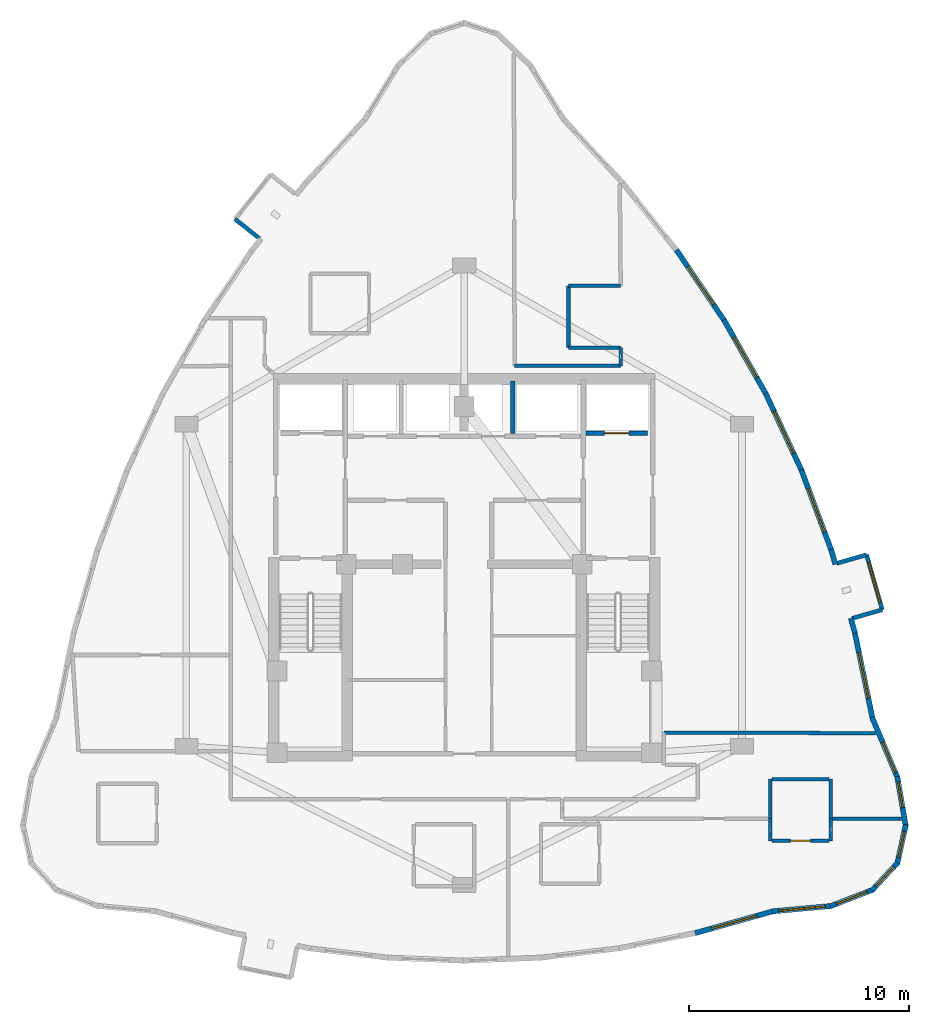
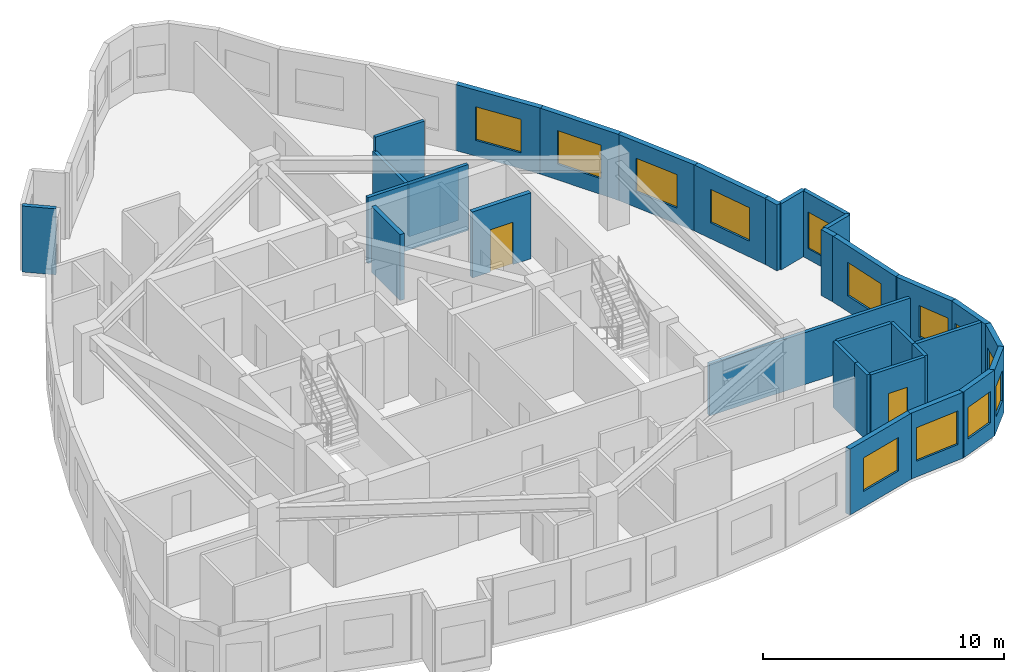
# One storey, part 10 of 12: 33 walls, 13 windows, 2 doors, 15 openings.
"""IFC4 building model written with IfcOpenShell, lengths in metres."""

from ifc_helpers import new_model, si_unit, direction, frame, frame_2d, origin, place, context, subcontext, project, spatial, rectangle, extrude, material, layer, layer_set, type_object, element, fill, save


model = new_model("IFC4")

# Units and contexts
model_context = context("Model", 3, precision=1e-05, world=origin(), true_north=direction((0.0, 1.0)))
body_context = subcontext(model_context, "Body", "Model", "MODEL_VIEW")
ifc_project = project(units=[si_unit("LENGTHUNIT", "METRE"), si_unit("AREAUNIT", "SQUARE_METRE"), si_unit("VOLUMEUNIT", "CUBIC_METRE"), si_unit("PLANEANGLEUNIT", "RADIAN"), si_unit("MASSUNIT", "GRAM", prefix="KILO")], contexts=[model_context])

# Site, building, storey
site_placement = place(None, origin())
site = spatial("IfcSite", under=ifc_project, at=site_placement, CompositionType="ELEMENT")
building_placement = place(site_placement, origin())
building = spatial("IfcBuilding", under=site, at=building_placement, Name="Miruveldt Soraemaru", CompositionType="ELEMENT")
storey_placement = place(building_placement, frame((0.0, 0.0, 216.0)))
storey = spatial("IfcBuildingStorey", under=building, at=storey_placement, Name="L59", CompositionType="ELEMENT", Elevation=216.0)

# Walls
ifc_material_1 = material(Name="White powder-coated aluminium EN AW-6060 T6", Category="aluminium")
ifc_layer_1 = layer(ifc_material_1, 0.18994140625, Name="White powder-coated aluminium EN AW-6060 T6", Category="aluminium")
ifc_layer_set_1 = layer_set([ifc_layer_1], Name="White powder-coated aluminium EN AW-6060 T6")
wall_type_1 = type_object("IfcWallType", Name="WALL-BAY-ALU190", PredefinedType="SOLIDWALL", material=ifc_layer_set_1)
for number, where, z_axis, x_axis, name in (
    (1, (33.599365234375, 59.707763671875, 0.0), (0.0, 0.0, 1.0), (0.781737193764, -0.623608017817, 0.0), "L59 Bay Window Side Cheek 3R"),
    (2, (61.593994140625, 41.59033203125, 0.0), (0.0, 0.0, 1.0), (0.961452801096, 0.274970018845, 0.0), "L59 Bay Window Side Cheek 2L"),
    (3, (62.249267578125, 44.48193359375, 0.0), (0.0, 0.0, 1.0), (-0.961452801096, -0.274970018845, 0.0), "L59 Bay Window Side Cheek 2R"),
):
    element("IfcWall", number, at=place(storey_placement, frame(where, z_axis=z_axis, x_axis=x_axis)), inside=storey, type_object=wall_type_1, Name=name, PredefinedType="SOLIDWALL", context=body_context, shape_type="SweptSolid", body=[
        extrude(rectangle(XDim=1.425048828125, YDim=0.18994140625, at=frame_2d((0.71240234375, 0.0))), origin(), (0.0, 0.0, 1.0), 3.344970703125),
    ])

# Wall, opening, window
wall_1_placement = place(storey_placement, frame((62.964111328125, 41.982177734375, 0.0), z_axis=(0.0, 0.0, 1.0), x_axis=(-0.274944358644, 0.961460139397, 0.0)))
wall_1 = element("IfcWall", 4, at=wall_1_placement, inside=storey, type_object=wall_type_1, Name="L59 Bay Window Front Frame 2", PredefinedType="SOLIDWALL", context=body_context, shape_type="SweptSolid", body=[
    extrude(rectangle(XDim=2.599853515625, YDim=0.18994140625, at=frame_2d((1.2998046875, 0.0))), origin(), (0.0, 0.0, 1.0), 3.344970703125),
])
opening_1_placement = place(wall_1_placement, frame((0.35009765625, 0.0, 0.550048828125)))
opening_1 = element("IfcOpeningElement", 5, at=opening_1_placement, cuts=wall_1, Name="Opening WN-6", PredefinedType="OPENING", context=body_context, shape_type="SweptSolid", body=[
    extrude(rectangle(XDim=1.89990234375, YDim=1.85009765625, at=frame_2d((0.949951171875, 0.925048828125))), frame((0.0, 0.10498046875, 0.0), z_axis=(0.0, -1.0, 0.0), x_axis=(1.0, 0.0, 0.0)), (0.0, 0.0, 1.0), 0.2099609375),
])
ifc_material_2 = material(Name="Triple low-e insulated glazing", Category="glass")
window_type_1 = type_object("IfcWindowType", Name="WIN-BAYW-1900x1850", PartitioningType="SINGLE_PANEL", PredefinedType="WINDOW", material=ifc_material_2)
window_1_placement = place(opening_1_placement, origin())
window_1 = element("IfcWindow", 6, at=window_1_placement, inside=storey, type_object=window_type_1, Name="L59 Projecting Bay Window 2", OverallHeight=1.85009765625, OverallWidth=1.89990234375, PartitioningType="SINGLE_PANEL", PredefinedType="WINDOW", context=body_context, shape_type="SweptSolid", body=[
    extrude(rectangle(XDim=1.89990234375, YDim=1.85009765625, at=frame_2d((0.949951171875, 0.925048828125))), frame((0.0, 0.030029296875, 0.0), z_axis=(0.0, -1.0, 0.0), x_axis=(1.0, 0.0, 0.0)), (0.0, 0.0, 1.0), 0.06005859375),
])
fill(opening_1, window_1)

ifc_material_3 = material(Name="Precast concrete C45/55 (45 MPa)", Category="concrete")
ifc_layer_2 = layer(ifc_material_3, 0.239990234375, Name="Precast concrete C45/55 (45 MPa)", Category="concrete")
ifc_layer_set_2 = layer_set([ifc_layer_2], Name="Precast concrete C45/55 (45 MPa)")
wall_type_2 = type_object("IfcWallType", Name="WALL-EXT-PC240", PredefinedType="SOLIDWALL", material=ifc_layer_set_2)
wall_2_placement = place(storey_placement, frame((54.46728515625, 27.314453125, 0.0), z_axis=(0.0, 0.0, 1.0), x_axis=(0.962962651001, 0.269634813733, 0.0)))
wall_2 = element("IfcWall", 7, at=wall_2_placement, inside=storey, type_object=wall_type_2, Name="L59 Precast Concrete Facade Wall 28", PredefinedType="SOLIDWALL", context=body_context, shape_type="SweptSolid", body=[
    extrude(rectangle(XDim=3.705078125, YDim=0.239990234375, at=frame_2d((1.8525390625, 0.0))), origin(), (0.0, 0.0, 1.0), 3.344970703125),
])
opening_2_placement = place(wall_2_placement, frame((0.802001953125, 0.0, 0.800048828125)))
opening_2 = element("IfcOpeningElement", 8, at=opening_2_placement, cuts=wall_2, Name="Opening WN-1", PredefinedType="OPENING", context=body_context, shape_type="SweptSolid", body=[
    extrude(rectangle(XDim=2.10009765625, YDim=1.699951171875, at=frame_2d((1.050048828125, 0.85009765625))), frame((0.0, 0.1298828125, 0.0), z_axis=(0.0, -1.0, 0.0), x_axis=(1.0, 0.0, 0.0)), (0.0, 0.0, 1.0), 0.260009765625),
])
window_type_2 = type_object("IfcWindowType", Name="WIN-PUNCH-2100x1700", PartitioningType="SINGLE_PANEL", PredefinedType="WINDOW", material=ifc_material_2)
window_2_placement = place(opening_2_placement, origin())
window_2 = element("IfcWindow", 9, at=window_2_placement, inside=storey, type_object=window_type_2, Name="L59 Punched Triple-Glazed Window 28.1", OverallHeight=1.699951171875, OverallWidth=2.10009765625, PartitioningType="SINGLE_PANEL", PredefinedType="WINDOW", context=body_context, shape_type="SweptSolid", body=[
    extrude(rectangle(XDim=2.10009765625, YDim=1.699951171875, at=frame_2d((1.050048828125, 0.85009765625))), frame((0.0, 0.030029296875, 0.0), z_axis=(0.0, -1.0, 0.0), x_axis=(1.0, 0.0, 0.0)), (0.0, 0.0, 1.0), 0.06005859375),
])
fill(opening_2, window_2)

wall_3_placement = place(storey_placement, frame((57.966552734375, 28.30078125, 0.0), z_axis=(0.0, 0.0, 1.0), x_axis=(0.995764020847, 0.09194571652, 0.0)))
wall_3 = element("IfcWall", 10, at=wall_3_placement, inside=storey, type_object=wall_type_2, Name="L59 Precast Concrete Facade Wall 29", PredefinedType="SOLIDWALL", context=body_context, shape_type="SweptSolid", body=[
    extrude(rectangle(XDim=2.71630859375, YDim=0.239990234375, at=frame_2d((1.358154296875, 0.0))), origin(), (0.0, 0.0, 1.0), 3.344970703125),
])
opening_3_placement = place(wall_3_placement, frame((0.30810546875, 0.0, 0.800048828125)))
opening_3 = element("IfcOpeningElement", 11, at=opening_3_placement, cuts=wall_3, Name="Opening WN-1", PredefinedType="OPENING", context=body_context, shape_type="SweptSolid", body=[
    extrude(rectangle(XDim=2.10009765625, YDim=1.699951171875, at=frame_2d((1.050048828125, 0.85009765625))), frame((0.0, 0.1298828125, 0.0), z_axis=(0.0, -1.0, 0.0), x_axis=(1.0, 0.0, 0.0)), (0.0, 0.0, 1.0), 0.260009765625),
])
window_3_placement = place(opening_3_placement, origin())
window_3 = element("IfcWindow", 12, at=window_3_placement, inside=storey, type_object=window_type_2, Name="L59 Punched Triple-Glazed Window 29.1", OverallHeight=1.699951171875, OverallWidth=2.10009765625, PartitioningType="SINGLE_PANEL", PredefinedType="WINDOW", context=body_context, shape_type="SweptSolid", body=[
    extrude(rectangle(XDim=2.10009765625, YDim=1.699951171875, at=frame_2d((1.050048828125, 0.85009765625))), frame((0.0, 0.030029296875, 0.0), z_axis=(0.0, -1.0, 0.0), x_axis=(1.0, 0.0, 0.0)), (0.0, 0.0, 1.0), 0.06005859375),
])
fill(opening_3, window_3)

wall_4_placement = place(storey_placement, frame((60.60400390625, 28.53466796875, 0.0), z_axis=(0.0, 0.0, 1.0), x_axis=(0.932287324151, 0.361718599504, 0.0)))
wall_4 = element("IfcWall", 13, at=wall_4_placement, inside=storey, type_object=wall_type_2, Name="L59 Precast Concrete Facade Wall 30", PredefinedType="SOLIDWALL", context=body_context, shape_type="SweptSolid", body=[
    extrude(rectangle(XDim=2.0888671875, YDim=0.239990234375, at=frame_2d((1.04443359375, 0.0))), origin(), (0.0, 0.0, 1.0), 3.344970703125),
])
opening_4_placement = place(wall_4_placement, frame((0.2939453125, 0.0, 0.800048828125)))
opening_4 = element("IfcOpeningElement", 14, at=opening_4_placement, cuts=wall_4, Name="Opening WN-3", PredefinedType="OPENING", context=body_context, shape_type="SweptSolid", body=[
    extrude(rectangle(XDim=1.5, YDim=1.60009765625, at=frame_2d((0.75, 0.800048828125))), frame((0.0, 0.1298828125, 0.0), z_axis=(0.0, -1.0, 0.0), x_axis=(1.0, 0.0, 0.0)), (0.0, 0.0, 1.0), 0.260009765625),
])
window_type_3 = type_object("IfcWindowType", Name="WIN-PUNCH-1500x1600", PartitioningType="SINGLE_PANEL", PredefinedType="WINDOW", material=ifc_material_2)
window_4_placement = place(opening_4_placement, origin())
window_4 = element("IfcWindow", 15, at=window_4_placement, inside=storey, type_object=window_type_3, Name="L59 Punched Triple-Glazed Window 30.1", OverallHeight=1.60009765625, OverallWidth=1.5, PartitioningType="SINGLE_PANEL", PredefinedType="WINDOW", context=body_context, shape_type="SweptSolid", body=[
    extrude(rectangle(XDim=1.5, YDim=1.60009765625, at=frame_2d((0.75, 0.800048828125))), frame((0.0, 0.030029296875, 0.0), z_axis=(0.0, -1.0, 0.0), x_axis=(1.0, 0.0, 0.0)), (0.0, 0.0, 1.0), 0.06005859375),
])
fill(opening_4, window_4)

wall_5_placement = place(storey_placement, frame((62.4951171875, 29.251953125, 0.0), z_axis=(0.0, 0.0, 1.0), x_axis=(0.680158830512, 0.733064775635, 0.0)))
wall_5 = element("IfcWall", 16, at=wall_5_placement, inside=storey, type_object=wall_type_2, Name="L59 Precast Concrete Facade Wall 31", PredefinedType="SOLIDWALL", context=body_context, shape_type="SweptSolid", body=[
    extrude(rectangle(XDim=1.73046875, YDim=0.239990234375, at=frame_2d((0.865234375, 0.0))), origin(), (0.0, 0.0, 1.0), 3.344970703125),
])
opening_5_placement = place(wall_5_placement, frame((0.264892578125, 0.0, 0.780029296875)))
opening_5 = element("IfcOpeningElement", 17, at=opening_5_placement, cuts=wall_5, Name="Opening WN-4", PredefinedType="OPENING", context=body_context, shape_type="SweptSolid", body=[
    extrude(rectangle(XDim=1.199951171875, YDim=1.550048828125, at=frame_2d((0.60009765625, 0.77490234375))), frame((0.0, 0.1298828125, 0.0), z_axis=(0.0, -1.0, 0.0), x_axis=(1.0, 0.0, 0.0)), (0.0, 0.0, 1.0), 0.260009765625),
])
window_type_4 = type_object("IfcWindowType", Name="WIN-PUNCH-1200x1550", PartitioningType="SINGLE_PANEL", PredefinedType="WINDOW", material=ifc_material_2)
window_5_placement = place(opening_5_placement, origin())
window_5 = element("IfcWindow", 18, at=window_5_placement, inside=storey, type_object=window_type_4, Name="L59 Punched Triple-Glazed Window 31.1", OverallHeight=1.550048828125, OverallWidth=1.199951171875, PartitioningType="SINGLE_PANEL", PredefinedType="WINDOW", context=body_context, shape_type="SweptSolid", body=[
    extrude(rectangle(XDim=1.199951171875, YDim=1.550048828125, at=frame_2d((0.60009765625, 0.77490234375))), frame((0.0, 0.030029296875, 0.0), z_axis=(0.0, -1.0, 0.0), x_axis=(1.0, 0.0, 0.0)), (0.0, 0.0, 1.0), 0.06005859375),
])
fill(opening_5, window_5)

wall_6_placement = place(storey_placement, frame((63.640625, 30.460693359375, 0.0), z_axis=(0.0, 0.0, 1.0), x_axis=(0.215762394051, 0.976445896767, 0.0)))
wall_6 = element("IfcWall", 19, at=wall_6_placement, inside=storey, type_object=wall_type_2, Name="L59 Precast Concrete Facade Wall 32", PredefinedType="SOLIDWALL", context=body_context, shape_type="SweptSolid", body=[
    extrude(rectangle(XDim=1.81494140625, YDim=0.239990234375, at=frame_2d((0.907470703125, 0.0))), origin(), (0.0, 0.0, 1.0), 3.344970703125),
])
opening_6_placement = place(wall_6_placement, frame((0.300048828125, 0.0, 0.780029296875)))
opening_6 = element("IfcOpeningElement", 20, at=opening_6_placement, cuts=wall_6, Name="Opening WN-4", PredefinedType="OPENING", context=body_context, shape_type="SweptSolid", body=[
    extrude(rectangle(XDim=1.199951171875, YDim=1.550048828125, at=frame_2d((0.60009765625, 0.77490234375))), frame((0.0, 0.1298828125, 0.0), z_axis=(0.0, -1.0, 0.0), x_axis=(1.0, 0.0, 0.0)), (0.0, 0.0, 1.0), 0.260009765625),
])
window_6_placement = place(opening_6_placement, origin())
window_6 = element("IfcWindow", 21, at=window_6_placement, inside=storey, type_object=window_type_4, Name="L59 Punched Triple-Glazed Window 32.1", OverallHeight=1.550048828125, OverallWidth=1.199951171875, PartitioningType="SINGLE_PANEL", PredefinedType="WINDOW", context=body_context, shape_type="SweptSolid", body=[
    extrude(rectangle(XDim=1.199951171875, YDim=1.550048828125, at=frame_2d((0.60009765625, 0.77490234375))), frame((0.0, 0.030029296875, 0.0), z_axis=(0.0, -1.0, 0.0), x_axis=(1.0, 0.0, 0.0)), (0.0, 0.0, 1.0), 0.06005859375),
])
fill(opening_6, window_6)

wall_7_placement = place(storey_placement, frame((64.030517578125, 32.164306640625, 0.0), z_axis=(0.0, 0.0, 1.0), x_axis=(-0.169300719574, 0.985564440487, 0.0)))
wall_7 = element("IfcWall", 22, at=wall_7_placement, inside=storey, type_object=wall_type_2, Name="L59 Precast Concrete Facade Wall 33", PredefinedType="SOLIDWALL", context=body_context, shape_type="SweptSolid", body=[
    extrude(rectangle(XDim=2.29296875, YDim=0.239990234375, at=frame_2d((1.146484375, 0.0))), origin(), (0.0, 0.0, 1.0), 3.344970703125),
])
opening_7_placement = place(wall_7_placement, frame((0.85205078125, 0.0, 0.780029296875)))
opening_7 = element("IfcOpeningElement", 23, at=opening_7_placement, cuts=wall_7, Name="Opening WN-4", PredefinedType="OPENING", context=body_context, shape_type="SweptSolid", body=[
    extrude(rectangle(XDim=1.199951171875, YDim=1.550048828125, at=frame_2d((0.60009765625, 0.77490234375))), frame((0.0, 0.1298828125, 0.0), z_axis=(0.0, -1.0, 0.0), x_axis=(1.0, 0.0, 0.0)), (0.0, 0.0, 1.0), 0.260009765625),
])
window_7_placement = place(opening_7_placement, origin())
window_7 = element("IfcWindow", 24, at=window_7_placement, inside=storey, type_object=window_type_4, Name="L59 Punched Triple-Glazed Window 33.1", OverallHeight=1.550048828125, OverallWidth=1.199951171875, PartitioningType="SINGLE_PANEL", PredefinedType="WINDOW", context=body_context, shape_type="SweptSolid", body=[
    extrude(rectangle(XDim=1.199951171875, YDim=1.550048828125, at=frame_2d((0.60009765625, 0.77490234375))), frame((0.0, 0.030029296875, 0.0), z_axis=(0.0, -1.0, 0.0), x_axis=(1.0, 0.0, 0.0)), (0.0, 0.0, 1.0), 0.06005859375),
])
fill(opening_7, window_7)

wall_8_placement = place(storey_placement, frame((63.661865234375, 34.357421875, 0.0), z_axis=(0.0, 0.0, 1.0), x_axis=(-0.388596043181, 0.921408223983, 0.0)))
wall_8 = element("IfcWall", 25, at=wall_8_placement, inside=storey, type_object=wall_type_2, Name="L59 Precast Concrete Facade Wall 34", PredefinedType="SOLIDWALL", context=body_context, shape_type="SweptSolid", body=[
    extrude(rectangle(XDim=2.97607421875, YDim=0.239990234375, at=frame_2d((1.488037109375, 0.0))), origin(), (0.0, 0.0, 1.0), 3.344970703125),
])
opening_8_placement = place(wall_8_placement, frame((0.260986328125, 0.0, 0.800048828125)))
opening_8 = element("IfcOpeningElement", 26, at=opening_8_placement, cuts=wall_8, Name="Opening WN-3", PredefinedType="OPENING", context=body_context, shape_type="SweptSolid", body=[
    extrude(rectangle(XDim=1.5, YDim=1.60009765625, at=frame_2d((0.75, 0.800048828125))), frame((0.0, 0.1298828125, 0.0), z_axis=(0.0, -1.0, 0.0), x_axis=(1.0, 0.0, 0.0)), (0.0, 0.0, 1.0), 0.260009765625),
])
window_8_placement = place(opening_8_placement, origin())
window_8 = element("IfcWindow", 27, at=window_8_placement, inside=storey, type_object=window_type_3, Name="L59 Punched Triple-Glazed Window 34.1", OverallHeight=1.60009765625, OverallWidth=1.5, PartitioningType="SINGLE_PANEL", PredefinedType="WINDOW", context=body_context, shape_type="SweptSolid", body=[
    extrude(rectangle(XDim=1.5, YDim=1.60009765625, at=frame_2d((0.75, 0.800048828125))), frame((0.0, 0.030029296875, 0.0), z_axis=(0.0, -1.0, 0.0), x_axis=(1.0, 0.0, 0.0)), (0.0, 0.0, 1.0), 0.06005859375),
])
fill(opening_8, window_8)

wall_9_placement = place(storey_placement, frame((62.52587890625, 37.032958984375, 0.0), z_axis=(0.0, 0.0, 1.0), x_axis=(-0.201579541159, 0.979472147938, 0.0)))
wall_9 = element("IfcWall", 28, at=wall_9_placement, inside=storey, type_object=wall_type_2, Name="L59 Precast Concrete Facade Wall 35", PredefinedType="SOLIDWALL", context=body_context, shape_type="SweptSolid", body=[
    extrude(rectangle(XDim=4.03662109375, YDim=0.239990234375, at=frame_2d((2.018310546875, 0.0))), origin(), (0.0, 0.0, 1.0), 3.344970703125),
])
opening_9_placement = place(wall_9_placement, frame((0.968017578125, 0.0, 0.800048828125)))
opening_9 = element("IfcOpeningElement", 29, at=opening_9_placement, cuts=wall_9, Name="Opening WN-1", PredefinedType="OPENING", context=body_context, shape_type="SweptSolid", body=[
    extrude(rectangle(XDim=2.10009765625, YDim=1.699951171875, at=frame_2d((1.050048828125, 0.85009765625))), frame((0.0, 0.1298828125, 0.0), z_axis=(0.0, -1.0, 0.0), x_axis=(1.0, 0.0, 0.0)), (0.0, 0.0, 1.0), 0.260009765625),
])
window_9_placement = place(opening_9_placement, origin())
window_9 = element("IfcWindow", 30, at=window_9_placement, inside=storey, type_object=window_type_2, Name="L59 Punched Triple-Glazed Window 35.1", OverallHeight=1.699951171875, OverallWidth=2.10009765625, PartitioningType="SINGLE_PANEL", PredefinedType="WINDOW", context=body_context, shape_type="SweptSolid", body=[
    extrude(rectangle(XDim=2.10009765625, YDim=1.699951171875, at=frame_2d((1.050048828125, 0.85009765625))), frame((0.0, 0.030029296875, 0.0), z_axis=(0.0, -1.0, 0.0), x_axis=(1.0, 0.0, 0.0)), (0.0, 0.0, 1.0), 0.06005859375),
])
fill(opening_9, window_9)

# Walls
wall_10_placement = place(storey_placement, frame((61.72900390625, 40.918701171875, 0.0), z_axis=(0.0, 0.0, 1.0), x_axis=(-0.275037775773, 0.961433420418, 0.0)))
element("IfcWall", 31, at=wall_10_placement, inside=storey, type_object=wall_type_2, Name="L59 Precast Pier Wall 36A", PredefinedType="SOLIDWALL", context=body_context, shape_type="SweptSolid", body=[
    extrude(rectangle(XDim=0.712890625, YDim=0.239990234375, at=frame_2d((0.3564453125, 0.0))), origin(), (0.0, 0.0, 1.0), 3.344970703125),
])
wall_11_placement = place(storey_placement, frame((60.83447265625, 44.046142578125, 0.0), z_axis=(0.0, 0.0, 1.0), x_axis=(-0.274721127897, 0.961523947641, 0.0)))
element("IfcWall", 32, at=wall_11_placement, inside=storey, type_object=wall_type_2, Name="L59 Precast Pier Wall 36B", PredefinedType="SOLIDWALL", context=body_context, shape_type="SweptSolid", body=[
    extrude(rectangle(XDim=0.712646484375, YDim=0.239990234375, at=frame_2d((0.3564453125, 0.0))), origin(), (0.0, 0.0, 1.0), 3.344970703125),
])

# Wall, opening, window
wall_12_placement = place(storey_placement, frame((60.660400390625, 44.664794921875, 0.0), z_axis=(0.0, 0.0, 1.0), x_axis=(-0.34901887995, 0.937115692665, 0.0)))
wall_12 = element("IfcWall", 33, at=wall_12_placement, inside=storey, type_object=wall_type_2, Name="L59 Precast Concrete Facade Wall 37", PredefinedType="SOLIDWALL", context=body_context, shape_type="SweptSolid", body=[
    extrude(rectangle(XDim=3.917236328125, YDim=0.239990234375, at=frame_2d((1.95849609375, 0.0))), origin(), (0.0, 0.0, 1.0), 3.344970703125),
])
opening_10_placement = place(wall_12_placement, frame((0.908935546875, 0.0, 0.800048828125)))
opening_10 = element("IfcOpeningElement", 34, at=opening_10_placement, cuts=wall_12, Name="Opening WN-1", PredefinedType="OPENING", context=body_context, shape_type="SweptSolid", body=[
    extrude(rectangle(XDim=2.10009765625, YDim=1.699951171875, at=frame_2d((1.050048828125, 0.85009765625))), frame((0.0, 0.1298828125, 0.0), z_axis=(0.0, -1.0, 0.0), x_axis=(1.0, 0.0, 0.0)), (0.0, 0.0, 1.0), 0.260009765625),
])
window_10_placement = place(opening_10_placement, origin())
window_10 = element("IfcWindow", 35, at=window_10_placement, inside=storey, type_object=window_type_2, Name="L59 Punched Triple-Glazed Window 37.1", OverallHeight=1.699951171875, OverallWidth=2.10009765625, PartitioningType="SINGLE_PANEL", PredefinedType="WINDOW", context=body_context, shape_type="SweptSolid", body=[
    extrude(rectangle(XDim=2.10009765625, YDim=1.699951171875, at=frame_2d((1.050048828125, 0.85009765625))), frame((0.0, 0.030029296875, 0.0), z_axis=(0.0, -1.0, 0.0), x_axis=(1.0, 0.0, 0.0)), (0.0, 0.0, 1.0), 0.06005859375),
])
fill(opening_10, window_10)

wall_13_placement = place(storey_placement, frame((59.3203125, 48.271240234375, 0.0), z_axis=(0.0, 0.0, 1.0), x_axis=(-0.422332612053, 0.906440932878, 0.0)))
wall_13 = element("IfcWall", 36, at=wall_13_placement, inside=storey, type_object=wall_type_2, Name="L59 Precast Concrete Facade Wall 38", PredefinedType="SOLIDWALL", context=body_context, shape_type="SweptSolid", body=[
    extrude(rectangle(XDim=3.892822265625, YDim=0.239990234375, at=frame_2d((1.9462890625, 0.0))), origin(), (0.0, 0.0, 1.0), 3.344970703125),
])
opening_11_placement = place(wall_13_placement, frame((0.89697265625, 0.0, 0.800048828125)))
opening_11 = element("IfcOpeningElement", 37, at=opening_11_placement, cuts=wall_13, Name="Opening WN-1", PredefinedType="OPENING", context=body_context, shape_type="SweptSolid", body=[
    extrude(rectangle(XDim=2.10009765625, YDim=1.699951171875, at=frame_2d((1.050048828125, 0.85009765625))), frame((0.0, 0.1298828125, 0.0), z_axis=(0.0, -1.0, 0.0), x_axis=(1.0, 0.0, 0.0)), (0.0, 0.0, 1.0), 0.260009765625),
])
window_11_placement = place(opening_11_placement, origin())
window_11 = element("IfcWindow", 38, at=window_11_placement, inside=storey, type_object=window_type_2, Name="L59 Punched Triple-Glazed Window 38.1", OverallHeight=1.699951171875, OverallWidth=2.10009765625, PartitioningType="SINGLE_PANEL", PredefinedType="WINDOW", context=body_context, shape_type="SweptSolid", body=[
    extrude(rectangle(XDim=2.10009765625, YDim=1.699951171875, at=frame_2d((1.050048828125, 0.85009765625))), frame((0.0, 0.030029296875, 0.0), z_axis=(0.0, -1.0, 0.0), x_axis=(1.0, 0.0, 0.0)), (0.0, 0.0, 1.0), 0.06005859375),
])
fill(opening_11, window_11)

wall_14_placement = place(storey_placement, frame((57.708251953125, 51.73779296875, 0.0), z_axis=(0.0, 0.0, 1.0), x_axis=(-0.493340105608, 0.869836501993, 0.0)))
wall_14 = element("IfcWall", 39, at=wall_14_placement, inside=storey, type_object=wall_type_2, Name="L59 Precast Concrete Facade Wall 39", PredefinedType="SOLIDWALL", context=body_context, shape_type="SweptSolid", body=[
    extrude(rectangle(XDim=3.892578125, YDim=0.239990234375, at=frame_2d((1.9462890625, 0.0))), origin(), (0.0, 0.0, 1.0), 3.344970703125),
])
opening_12_placement = place(wall_14_placement, frame((0.89697265625, 0.0, 0.800048828125)))
opening_12 = element("IfcOpeningElement", 40, at=opening_12_placement, cuts=wall_14, Name="Opening WN-1", PredefinedType="OPENING", context=body_context, shape_type="SweptSolid", body=[
    extrude(rectangle(XDim=2.10009765625, YDim=1.699951171875, at=frame_2d((1.050048828125, 0.85009765625))), frame((0.0, 0.1298828125, 0.0), z_axis=(0.0, -1.0, 0.0), x_axis=(1.0, 0.0, 0.0)), (0.0, 0.0, 1.0), 0.260009765625),
])
window_12_placement = place(opening_12_placement, origin())
window_12 = element("IfcWindow", 41, at=window_12_placement, inside=storey, type_object=window_type_2, Name="L59 Punched Triple-Glazed Window 39.1", OverallHeight=1.699951171875, OverallWidth=2.10009765625, PartitioningType="SINGLE_PANEL", PredefinedType="WINDOW", context=body_context, shape_type="SweptSolid", body=[
    extrude(rectangle(XDim=2.10009765625, YDim=1.699951171875, at=frame_2d((1.050048828125, 0.85009765625))), frame((0.0, 0.030029296875, 0.0), z_axis=(0.0, -1.0, 0.0), x_axis=(1.0, 0.0, 0.0)), (0.0, 0.0, 1.0), 0.06005859375),
])
fill(opening_12, window_12)

wall_15_placement = place(storey_placement, frame((55.82470703125, 55.064208984375, 0.0), z_axis=(0.0, 0.0, 1.0), x_axis=(-0.560812313673, 0.827942962306, 0.0)))
wall_15 = element("IfcWall", 42, at=wall_15_placement, inside=storey, type_object=wall_type_2, Name="L59 Precast Concrete Facade Wall 40", PredefinedType="SOLIDWALL", context=body_context, shape_type="SweptSolid", body=[
    extrude(rectangle(XDim=3.917236328125, YDim=0.239990234375, at=frame_2d((1.95849609375, 0.0))), origin(), (0.0, 0.0, 1.0), 3.344970703125),
])
opening_13_placement = place(wall_15_placement, frame((0.908935546875, 0.0, 0.800048828125)))
opening_13 = element("IfcOpeningElement", 43, at=opening_13_placement, cuts=wall_15, Name="Opening WN-1", PredefinedType="OPENING", context=body_context, shape_type="SweptSolid", body=[
    extrude(rectangle(XDim=2.10009765625, YDim=1.699951171875, at=frame_2d((1.050048828125, 0.85009765625))), frame((0.0, 0.1298828125, 0.0), z_axis=(0.0, -1.0, 0.0), x_axis=(1.0, 0.0, 0.0)), (0.0, 0.0, 1.0), 0.260009765625),
])
window_13_placement = place(opening_13_placement, origin())
window_13 = element("IfcWindow", 44, at=window_13_placement, inside=storey, type_object=window_type_2, Name="L59 Punched Triple-Glazed Window 40.1", OverallHeight=1.699951171875, OverallWidth=2.10009765625, PartitioningType="SINGLE_PANEL", PredefinedType="WINDOW", context=body_context, shape_type="SweptSolid", body=[
    extrude(rectangle(XDim=2.10009765625, YDim=1.699951171875, at=frame_2d((1.050048828125, 0.85009765625))), frame((0.0, 0.030029296875, 0.0), z_axis=(0.0, -1.0, 0.0), x_axis=(1.0, 0.0, 0.0)), (0.0, 0.0, 1.0), 0.06005859375),
])
fill(opening_13, window_13)

# Wall, opening, door
ifc_material_4 = material(Name="Concrete C40/50 (40 MPa)", Category="concrete")
ifc_layer_3 = layer(ifc_material_4, 0.159912109375, Name="Concrete C40/50 (40 MPa)", Category="concrete")
ifc_layer_set_3 = layer_set([ifc_layer_3], Name="Concrete C40/50 (40 MPa)")
wall_type_3 = type_object("IfcWallType", Name="WALL-INT-RC160", PredefinedType="SOLIDWALL", material=ifc_layer_set_3)
wall_16_placement = place(storey_placement, frame((57.9599609375, 31.506103515625, 0.0), z_axis=(0.0, 0.0, 1.0), x_axis=(1.0, 0.0, 0.0)))
wall_16 = element("IfcWall", 45, at=wall_16_placement, inside=storey, type_object=wall_type_3, Name="L59 Partition Wall 37", PredefinedType="SOLIDWALL", context=body_context, shape_type="SweptSolid", body=[
    extrude(rectangle(XDim=2.590087890625, YDim=0.159912109375, at=frame_2d((1.294921875, 0.0))), origin(), (0.0, 0.0, 1.0), 3.344970703125),
])
opening_14_placement = place(wall_16_placement, frame((0.8349609375, 0.0, 0.0)))
opening_14 = element("IfcOpeningElement", 46, at=opening_14_placement, cuts=wall_16, Name="Opening D3A", PredefinedType="OPENING", context=body_context, shape_type="SweptSolid", body=[
    extrude(rectangle(XDim=0.919921875, YDim=2.10009765625, at=frame_2d((0.4599609375, 1.050048828125))), frame((0.0, 0.08984375, 0.0), z_axis=(0.0, -1.0, 0.0), x_axis=(1.0, 0.0, 0.0)), (0.0, 0.0, 1.0), 0.179931640625),
])
ifc_material_5 = material(Name="Anodised aluminium EN AW-6063 T6", Category="aluminium")
door_type_1 = type_object("IfcDoorType", Name="DOOR-INT-920", OperationType="NOTDEFINED", PredefinedType="DOOR", material=ifc_material_5)
door_1_placement = place(opening_14_placement, origin())
door_1 = element("IfcDoor", 47, at=door_1_placement, inside=storey, type_object=door_type_1, Name="L59 Unit 5903 KIT Door", OperationType="SINGLE_SWING_LEFT", OverallHeight=2.10009765625, OverallWidth=0.919921875, PredefinedType="DOOR", context=body_context, shape_type="SweptSolid", body=[
    extrude(rectangle(XDim=0.919921875, YDim=2.10009765625, at=frame_2d((0.4599609375, 1.050048828125))), frame((0.0, 0.02490234375, 0.0), z_axis=(0.0, -1.0, 0.0), x_axis=(1.0, 0.0, 0.0)), (0.0, 0.0, 1.0), 0.050048828125),
])
fill(opening_14, door_1)

# Walls
wall_17_placement = place(storey_placement, frame((53.050048828125, 36.409912109375, 0.0), z_axis=(0.0, 0.0, 1.0), x_axis=(0.999997612742, -0.002185065163, 0.0)))
element("IfcWall", 48, at=wall_17_placement, inside=storey, type_object=wall_type_3, Name="L59 Partition Wall 52", PredefinedType="SOLIDWALL", context=body_context, shape_type="SweptSolid", body=[
    extrude(rectangle(XDim=9.60888671875, YDim=0.159912109375, at=frame_2d((4.804443359375, 0.0))), origin(), (0.0, 0.0, 1.0), 2.633056640625),
])
wall_18_placement = place(storey_placement, frame((51.093994140625, 53.050048828125, 0.0), z_axis=(0.0, 0.0, 1.0), x_axis=(-1.0, 0.0, 0.0)))
element("IfcWall", 49, at=wall_18_placement, inside=storey, type_object=wall_type_3, Name="L59 Partition Wall 49", PredefinedType="SOLIDWALL", context=body_context, shape_type="SweptSolid", body=[
    extrude(rectangle(XDim=4.806884765625, YDim=0.159912109375, at=frame_2d((2.4033203125, 0.0))), origin(), (0.0, 0.0, 1.0), 3.344970703125),
])
wall_19_placement = place(storey_placement, frame((63.8349609375, 32.507080078125, 0.0), z_axis=(0.0, 0.0, 1.0), x_axis=(-0.99999582217, 0.002890612923, 0.0)))
element("IfcWall", 50, at=wall_19_placement, inside=storey, type_object=wall_type_3, Name="L59 Partition Wall 38", PredefinedType="SOLIDWALL", context=body_context, shape_type="SweptSolid", body=[
    extrude(rectangle(XDim=3.125, YDim=0.159912109375, at=frame_2d((1.5625, 0.0))), origin(), (0.0, 0.0, 1.0), 3.344970703125),
])
wall_20_placement = place(storey_placement, frame((48.72998046875, 56.679931640625, 0.0), z_axis=(0.0, 0.0, 1.0), x_axis=(0.0, -1.0, 0.0)))
element("IfcWall", 51, at=wall_20_placement, inside=storey, type_object=wall_type_3, Name="L59 Partition Wall 46", PredefinedType="SOLIDWALL", context=body_context, shape_type="SweptSolid", body=[
    extrude(rectangle(XDim=2.800048828125, YDim=0.159912109375, at=frame_2d((1.39990234375, 0.0))), origin(), (0.0, 0.0, 1.0), 2.633056640625),
])
wall_21_placement = place(storey_placement, frame((60.550048828125, 34.305908203125, 0.0), z_axis=(0.0, 0.0, 1.0), x_axis=(-1.0, 0.0, 0.0)))
element("IfcWall", 52, at=wall_21_placement, inside=storey, type_object=wall_type_3, Name="L59 Partition Wall 42", PredefinedType="SOLIDWALL", context=body_context, shape_type="SweptSolid", body=[
    extrude(rectangle(XDim=2.590087890625, YDim=0.159912109375, at=frame_2d((1.294921875, 0.0))), origin(), (0.0, 0.0, 1.0), 3.344970703125),
])
wall_22_placement = place(storey_placement, frame((51.093994140625, 56.679931640625, 0.0), z_axis=(0.0, 0.0, 1.0), x_axis=(-1.0, 0.0, 0.0)))
element("IfcWall", 53, at=wall_22_placement, inside=storey, type_object=wall_type_3, Name="L59 Partition Wall 45", PredefinedType="SOLIDWALL", context=body_context, shape_type="SweptSolid", body=[
    extrude(rectangle(XDim=2.364013671875, YDim=0.159912109375, at=frame_2d((1.18212890625, 0.0))), origin(), (0.0, 0.0, 1.0), 3.344970703125),
])
wall_23_placement = place(storey_placement, frame((48.72998046875, 53.8798828125, 0.0), z_axis=(0.0, 0.0, 1.0), x_axis=(1.0, 0.0, 0.0)))
element("IfcWall", 54, at=wall_23_placement, inside=storey, type_object=wall_type_3, Name="L59 Partition Wall 47", PredefinedType="SOLIDWALL", context=body_context, shape_type="SweptSolid", body=[
    extrude(rectangle(XDim=2.364013671875, YDim=0.159912109375, at=frame_2d((1.18212890625, 0.0))), origin(), (0.0, 0.0, 1.0), 2.633056640625),
])
for number, where, z_axis, x_axis, name in (
    (55, (60.6298828125, 32.51611328125, 0.0), (0.0, 0.0, 1.0), (0.0, 1.0, 0.0), "L59 Partition Wall 41"),
    (56, (57.8798828125, 34.305908203125, 0.0), (0.0, 0.0, 1.0), (0.0, -1.0, 0.0), "L59 Partition Wall 43"),
):
    element("IfcWall", number, at=place(storey_placement, frame(where, z_axis=z_axis, x_axis=x_axis)), inside=storey, type_object=wall_type_3, Name=name, PredefinedType="SOLIDWALL", context=body_context, shape_type="SweptSolid", body=[
        extrude(rectangle(XDim=1.789794921875, YDim=0.159912109375, at=frame_2d((0.89501953125, 0.0))), origin(), (0.0, 0.0, 1.0), 3.344970703125),
    ])
for number, where, z_axis, x_axis, name in (
    (57, (60.6298828125, 31.506103515625, 0.0), (0.0, 0.0, 1.0), (0.0, 1.0, 0.0), "L59 Partition Wall 35"),
    (58, (57.8798828125, 32.51611328125, 0.0), (0.0, 0.0, 1.0), (0.0, -1.0, 0.0), "L59 Partition Wall 36"),
):
    element("IfcWall", number, at=place(storey_placement, frame(where, z_axis=z_axis, x_axis=x_axis)), inside=storey, type_object=wall_type_3, Name=name, PredefinedType="SOLIDWALL", context=body_context, shape_type="SweptSolid", body=[
        extrude(rectangle(XDim=1.010009765625, YDim=0.159912109375, at=frame_2d((0.5048828125, 0.0))), origin(), (0.0, 0.0, 1.0), 3.344970703125),
    ])
wall_24_placement = place(storey_placement, frame((51.093994140625, 53.8798828125, 0.0), z_axis=(0.0, 0.0, 1.0), x_axis=(0.0, -1.0, 0.0)))
element("IfcWall", 59, at=wall_24_placement, inside=storey, type_object=wall_type_3, Name="L59 Partition Wall 48", PredefinedType="SOLIDWALL", context=body_context, shape_type="SweptSolid", body=[
    extrude(rectangle(XDim=0.829833984375, YDim=0.159912109375, at=frame_2d((0.4150390625, 0.0))), origin(), (0.0, 0.0, 1.0), 2.633056640625),
])

# Wall, opening, door
ifc_layer_4 = layer(ifc_material_4, 0.199951171875, Name="Concrete C40/50 (40 MPa)", Category="concrete")
ifc_layer_set_4 = layer_set([ifc_layer_4], Name="Concrete C40/50 (40 MPa)")
wall_type_4 = type_object("IfcWallType", Name="WALL-INT-RC200", PredefinedType="SOLIDWALL", material=ifc_layer_set_4)
wall_25_placement = place(storey_placement, frame((49.52001953125, 50.0, 0.0), z_axis=(0.0, 0.0, 1.0), x_axis=(1.0, 0.0, 0.0)))
wall_25 = element("IfcWall", 60, at=wall_25_placement, inside=storey, type_object=wall_type_4, Name="L59 Core Compartment Wall FFL2-S", PredefinedType="SOLIDWALL", context=body_context, shape_type="SweptSolid", body=[
    extrude(rectangle(XDim=2.800048828125, YDim=0.199951171875, at=frame_2d((1.39990234375, 0.0))), origin(), (0.0, 0.0, 1.0), 3.344970703125),
])
opening_15_placement = place(wall_25_placement, frame((0.85009765625, 0.0, 0.0)))
opening_15 = element("IfcOpeningElement", 61, at=opening_15_placement, cuts=wall_25, Name="Opening LD2", PredefinedType="OPENING", context=body_context, shape_type="SweptSolid", body=[
    extrude(rectangle(XDim=1.10009765625, YDim=2.14990234375, at=frame_2d((0.550048828125, 1.074951171875))), frame((0.0, 0.10986328125, 0.0), z_axis=(0.0, -1.0, 0.0), x_axis=(1.0, 0.0, 0.0)), (0.0, 0.0, 1.0), 0.219970703125),
])
door_type_2 = type_object("IfcDoorType", Name="DOOR-LD2-1100", OperationType="SLIDING_TO_LEFT", PredefinedType="DOOR", material=ifc_material_5)
door_2_placement = place(opening_15_placement, origin())
door_2 = element("IfcDoor", 62, at=door_2_placement, inside=storey, type_object=door_type_2, Name="L59 FFL-2 Landing Door", OperationType="SLIDING_TO_LEFT", OverallHeight=2.14990234375, OverallWidth=1.10009765625, PredefinedType="DOOR", context=body_context, shape_type="SweptSolid", body=[
    extrude(rectangle(XDim=1.10009765625, YDim=2.14990234375, at=frame_2d((0.550048828125, 1.074951171875))), frame((0.0, 0.02490234375, 0.0), z_axis=(0.0, -1.0, 0.0), x_axis=(1.0, 0.0, 0.0)), (0.0, 0.0, 1.0), 0.050048828125),
])
fill(opening_15, door_2)

# Wall
wall_26_placement = place(storey_placement, frame((46.199951171875, 49.97998046875, 0.0), z_axis=(0.0, 0.0, 1.0), x_axis=(0.0, 1.0, 0.0)))
element("IfcWall", 63, at=wall_26_placement, inside=storey, type_object=wall_type_4, Name="L59 Core Compartment Wall PLH-SL-DIV", PredefinedType="SOLIDWALL", context=body_context, shape_type="SweptSolid", body=[
    extrude(rectangle(XDim=2.3701171875, YDim=0.199951171875, at=frame_2d((1.18505859375, 0.0))), origin(), (0.0, 0.0, 1.0), 3.344970703125),
])

save(model, "model.ifc")
